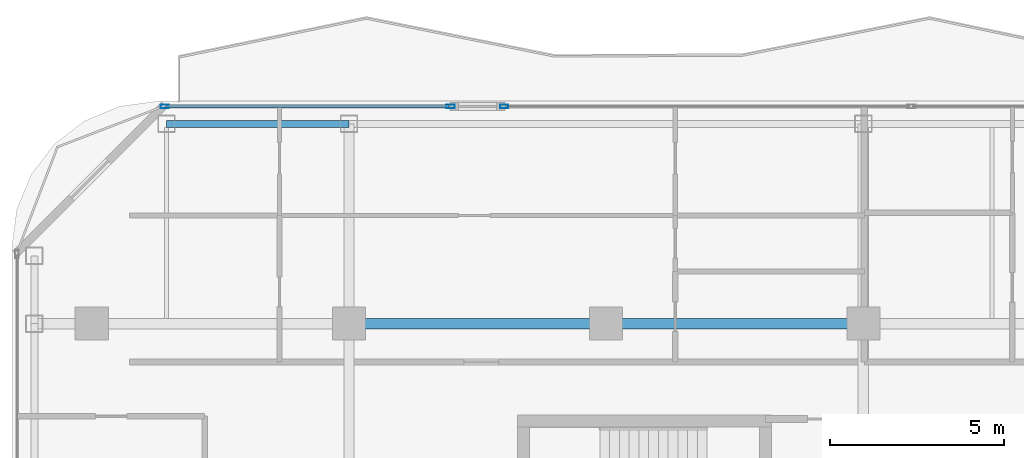
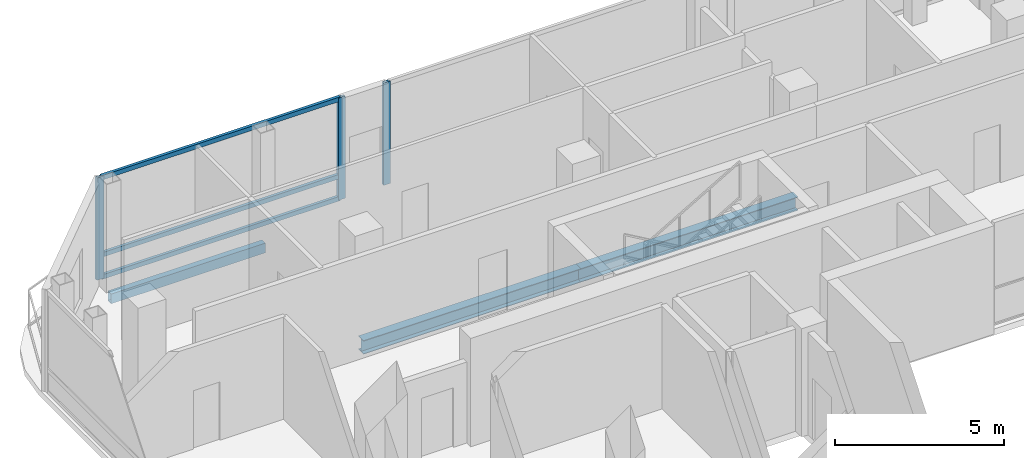
# One storey, part 12 of 24: 6 members, 3 beams, 2 elements without a shape of their own.
"""IFC4 building model written with IfcOpenShell, lengths in metres."""

from ifc_helpers import new_model, si_unit, direction, frame, origin, origin_2d, place, context, subcontext, project, spatial, hollow_rectangle, i_section, extrude, material, layer, layer_set, material_profile, profile_set, type_object, element, aggregate, save


model = new_model("IFC4")

# Units and contexts
model_context = context("Model", 3, precision=1e-05, world=origin(), true_north=direction((0.0, 1.0)))
body_context = subcontext(model_context, "Body", "Model", "MODEL_VIEW")
ifc_project = project(units=[si_unit("LENGTHUNIT", "METRE"), si_unit("AREAUNIT", "SQUARE_METRE"), si_unit("VOLUMEUNIT", "CUBIC_METRE"), si_unit("PLANEANGLEUNIT", "RADIAN"), si_unit("MASSUNIT", "GRAM", prefix="KILO")], contexts=[model_context])

# Site, building, storey
site_placement = place(None, origin())
site = spatial("IfcSite", under=ifc_project, at=site_placement, CompositionType="ELEMENT")
building_placement = place(site_placement, origin())
building = spatial("IfcBuilding", under=site, at=building_placement, Name="Khorvyn Point Tower", CompositionType="ELEMENT")
storey_placement = place(building_placement, frame((0.0, 0.0, 266.39990234375)))
storey = spatial("IfcBuildingStorey", under=building, at=storey_placement, Name="L65", CompositionType="ELEMENT", Elevation=266.39990234375)

# Curtain wall, members
ifc_material_1 = material(Name="Anodised aluminium 6063-T6 and laminated Low-E glass", Category="aluminium")
ifc_layer = layer(ifc_material_1, 0.18994140625)
ifc_layer_set = layer_set([ifc_layer], Name="Stick-Built High-Wind Curtain Wall CW-SYS-04")
curtain_wall_type = type_object("IfcCurtainWallType", Name="Stick-Built High-Wind Curtain Wall CW-SYS-04", PredefinedType="NOTDEFINED", material=ifc_layer_set)
curtain_wall_1_placement = place(storey_placement, origin())
curtain_wall_1 = element("IfcCurtainWall", 1, at=curtain_wall_1_placement, inside=storey, type_object=curtain_wall_type, Name="Curtain Wall", PredefinedType="NOTDEFINED")
ifc_material_2 = material(Name="Anodised aluminium 6063-T6", Category="aluminium")
ifc_material_profile_1 = material_profile(ifc_material_2, hollow_rectangle(XDim=0.10009765625, YDim=0.239990234375, WallThickness=0.0048828125, at=origin_2d()))
ifc_profile_set_1 = profile_set([ifc_material_profile_1], Name="Anodised aluminium 6063-T6 ALU-MUL-100x240")
member_type_1 = type_object("IfcMemberType", Name="Anodised Aluminium 6063-T6 Mullion ALU-MUL-100x240", PredefinedType="MULLION", material=ifc_profile_set_1)
member_1_placement = place(storey_placement, frame((-12.699951171875, 21.050048828125, 0.0), z_axis=(0.0, 0.0, 1.0), x_axis=(0.0, 1.0, 0.0)))
member_1 = element("IfcMember", 2, at=member_1_placement, type_object=member_type_1, Name="Transom", PredefinedType="MULLION", context=body_context, shape_type="SweptSolid", body=[
    extrude(hollow_rectangle(XDim=0.10009765625, YDim=0.239990234375, WallThickness=0.0048828125, at=origin_2d()), origin(), (0.0, 0.0, 1.0), 3.68017578125),
])
member_2_placement = place(storey_placement, frame((-4.47509765625, 21.050048828125, 0.0), z_axis=(0.0, 0.0, 1.0), x_axis=(0.0, 1.0, 0.0)))
member_2 = element("IfcMember", 3, at=member_2_placement, type_object=member_type_1, Name="Transom", PredefinedType="MULLION", context=body_context, shape_type="SweptSolid", body=[
    extrude(hollow_rectangle(XDim=0.10009765625, YDim=0.239990234375, WallThickness=0.0048828125, at=origin_2d()), origin(), (0.0, 0.0, 1.0), 3.68017578125),
])

# Curtain wall, member
curtain_wall_2_placement = place(storey_placement, origin())
curtain_wall_2 = element("IfcCurtainWall", 4, at=curtain_wall_2_placement, inside=storey, type_object=curtain_wall_type, Name="Curtain Wall", PredefinedType="NOTDEFINED")
member_3_placement = place(storey_placement, frame((-2.93505859375, 21.050048828125, 0.0), z_axis=(0.0, 0.0, 1.0), x_axis=(0.0, 1.0, 0.0)))
member_3 = element("IfcMember", 5, at=member_3_placement, type_object=member_type_1, Name="Transom", PredefinedType="MULLION", context=body_context, shape_type="SweptSolid", body=[
    extrude(hollow_rectangle(XDim=0.10009765625, YDim=0.239990234375, WallThickness=0.0048828125, at=origin_2d()), origin(), (0.0, 0.0, 1.0), 3.68017578125),
])
aggregate(curtain_wall_2, [member_3])

# Member
ifc_material_profile_2 = material_profile(ifc_material_2, hollow_rectangle(XDim=0.10009765625, YDim=0.159912109375, WallThickness=0.00439453125, at=origin_2d()))
ifc_profile_set_2 = profile_set([ifc_material_profile_2], Name="Anodised aluminium 6063-T6 ALU-TRN-100x160")
member_type_2 = type_object("IfcMemberType", Name="Anodised Aluminium 6063-T6 Transom ALU-TRN-100x160", PredefinedType="USERDEFINED", material=ifc_profile_set_2)
member_4_placement = place(storey_placement, frame((-12.64990234375, 21.050048828125, 0.050048828125), z_axis=(1.0, 0.0, 0.0), x_axis=(0.0, 1.0, 0.0)))
member_4 = element("IfcMember", 6, at=member_4_placement, type_object=member_type_2, Name="Transom", ObjectType="TRANSOM", PredefinedType="USERDEFINED", context=body_context, shape_type="SweptSolid", body=[
    extrude(hollow_rectangle(XDim=0.10009765625, YDim=0.159912109375, WallThickness=0.00439453125, at=origin_2d()), origin(), (0.0, 0.0, 1.0), 8.125),
])

member_5_placement = place(storey_placement, frame((-12.64990234375, 21.050048828125, 0.85009765625), z_axis=(1.0, 0.0, 0.0), x_axis=(0.0, 1.0, 0.0)))
member_5 = element("IfcMember", 7, at=member_5_placement, type_object=member_type_2, Name="Transom", ObjectType="TRANSOM", PredefinedType="USERDEFINED", context=body_context, shape_type="SweptSolid", body=[
    extrude(hollow_rectangle(XDim=0.10009765625, YDim=0.159912109375, WallThickness=0.00439453125, at=origin_2d()), origin(), (0.0, 0.0, 1.0), 8.125),
])

member_6_placement = place(storey_placement, frame((-12.64990234375, 21.050048828125, 3.630126953125), z_axis=(1.0, 0.0, 0.0), x_axis=(0.0, 1.0, 0.0)))
member_6 = element("IfcMember", 8, at=member_6_placement, type_object=member_type_2, Name="Transom", ObjectType="TRANSOM", PredefinedType="USERDEFINED", context=body_context, shape_type="SweptSolid", body=[
    extrude(hollow_rectangle(XDim=0.10009765625, YDim=0.159912109375, WallThickness=0.00439453125, at=origin_2d()), origin(), (0.0, 0.0, 1.0), 8.125),
])

aggregate(curtain_wall_1, [member_1, member_2, member_4, member_5, member_6])

# Beams
ifc_material_3 = material(Name="Steel S355", Category="steel")
ifc_material_profile_3 = material_profile(ifc_material_3, i_section(OverallWidth=0.300048828125, OverallDepth=0.488037109375, WebThickness=0.010986328125, FlangeThickness=0.01806640625, at=origin_2d()))
ifc_profile_set_3 = profile_set([ifc_material_profile_3], Name="Steel S355 H488x300x11x18")
beam_type_1 = type_object("IfcBeamType", Name="Steel S355 Spandrel H488x300x11x18", PredefinedType="SPANDREL", material=ifc_profile_set_3)
for number, where, z_axis, x_axis, name in (
    (9, (-7.39990234375, 14.800048828125, -0.4638671875), (1.0, 0.0, 0.0), (0.0, 1.0, 0.0), "Beam"),
    (10, (0.0, 14.800048828125, -0.4638671875), (1.0, 0.0, 0.0), (0.0, 1.0, 0.0), "Beam"),
):
    element("IfcBeam", number, at=place(storey_placement, frame(where, z_axis=z_axis, x_axis=x_axis)), inside=storey, type_object=beam_type_1, Name=name, PredefinedType="SPANDREL", context=body_context, shape_type="SweptSolid", body=[
        extrude(i_section(OverallWidth=0.300048828125, OverallDepth=0.488037109375, WebThickness=0.010986328125, FlangeThickness=0.01806640625, at=origin_2d()), origin(), (0.0, 0.0, 1.0), 7.39990234375),
    ])
ifc_material_profile_4 = material_profile(ifc_material_3, hollow_rectangle(XDim=0.199951171875, YDim=0.35009765625, WallThickness=0.013916015625, at=origin_2d()))
ifc_profile_set_4 = profile_set([ifc_material_profile_4], Name="Steel S355 RHS350x200x14")
beam_type_2 = type_object("IfcBeamType", Name="Steel S355 Spandrel RHS350x200x14", PredefinedType="SPANDREL", material=ifc_profile_set_4)
beam_placement = place(storey_placement, frame((-12.64990234375, 20.550048828125, -0.39501953125), z_axis=(1.0, 0.0, 0.0), x_axis=(0.0, 1.0, 0.0)))
element("IfcBeam", 11, at=beam_placement, inside=storey, type_object=beam_type_2, Name="Beam", PredefinedType="SPANDREL", context=body_context, shape_type="SweptSolid", body=[
    extrude(hollow_rectangle(XDim=0.199951171875, YDim=0.35009765625, WallThickness=0.013916015625, at=origin_2d()), origin(), (0.0, 0.0, 1.0), 5.25),
])

save(model, "model.ifc")
